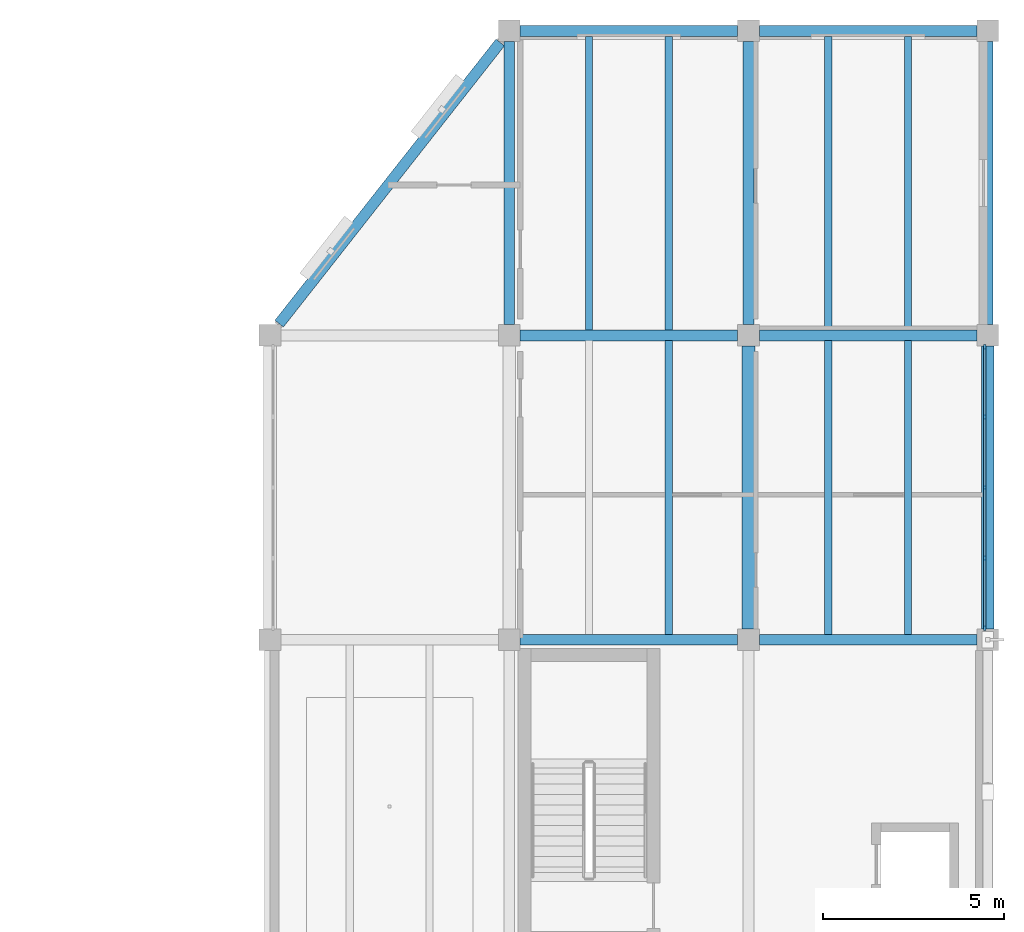
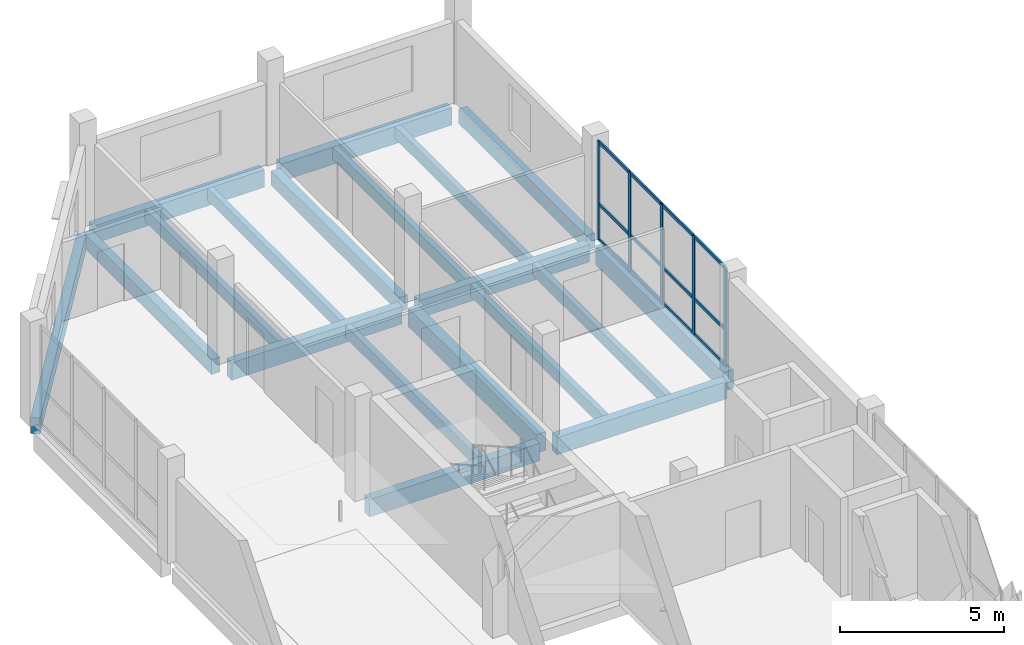
# One storey, part 4 of 12: 19 beams, 17 members, 1 element without a shape of its own.
"""IFC4 building model written with IfcOpenShell, lengths in metres."""

from ifc_helpers import new_model, si_unit, direction, frame, origin, origin_2d, place, context, subcontext, project, spatial, rectangle, extrude, material, material_profile, profile_set, type_object, element, aggregate, save


model = new_model("IFC4")

# Units and contexts
model_context = context("Model", 3, precision=1e-05, world=origin(), true_north=direction((0.0, 1.0)))
body_context = subcontext(model_context, "Body", "Model", "MODEL_VIEW")
ifc_project = project(units=[si_unit("LENGTHUNIT", "METRE"), si_unit("AREAUNIT", "SQUARE_METRE"), si_unit("VOLUMEUNIT", "CUBIC_METRE"), si_unit("PLANEANGLEUNIT", "RADIAN"), si_unit("MASSUNIT", "GRAM", prefix="KILO")], contexts=[model_context])

# Site, building, storey
site_placement = place(None, origin())
site = spatial("IfcSite", under=ifc_project, at=site_placement, CompositionType="ELEMENT")
building_placement = place(site_placement, origin())
building = spatial("IfcBuilding", under=site, at=building_placement, Name="Qaldarim Faculty of Natural and Applied Sciences", CompositionType="ELEMENT")
storey_placement = place(building_placement, frame((0.0, 0.0, 35.39990234375)))
storey = spatial("IfcBuildingStorey", under=building, at=storey_placement, Name="L08", CompositionType="ELEMENT", Elevation=35.39990234375)

# Beams
ifc_material_1 = material(Name="Concrete C40/50", Category="concrete")
ifc_material_profile_1 = material_profile(ifc_material_1, rectangle(XDim=0.300048828125, YDim=0.550048828125, at=origin_2d()), Name="RC-B300x550")
ifc_profile_set_1 = profile_set([ifc_material_profile_1], Name="Concrete C40/50")
beam_type_1 = type_object("IfcBeamType", Name="FloorBeam-RC300x550", PredefinedType="BEAM", material=ifc_profile_set_1)
for number, where, z_axis, x_axis, name in (
    (1, (165.0, 42.300048828125, -0.494873046875), (0.0, 1.0, 0.0), (-1.0, 0.0, 0.0), "Beam RC-B300x550 L07 X26/Y06-Y07"),
    (2, (171.60009765625, 42.300048828125, -0.494873046875), (0.0, 1.0, 0.0), (-1.0, 0.0, 0.0), "Beam RC-B300x550 L07 X27/Y06-Y07"),
    (3, (178.199951171875, 42.300048828125, -0.494873046875), (0.0, 1.0, 0.0), (-1.0, 0.0, 0.0), "Beam RC-B300x550 L07 X28/Y06-Y07"),
):
    element("IfcBeam", number, at=place(storey_placement, frame(where, z_axis=z_axis, x_axis=x_axis)), inside=storey, type_object=beam_type_1, Name=name, PredefinedType="BEAM", context=body_context, shape_type="SweptSolid", body=[
        extrude(rectangle(XDim=0.300048828125, YDim=0.550048828125, at=origin_2d()), origin(), (0.0, 0.0, 1.0), 7.800048828125),
    ])
ifc_material_profile_2 = material_profile(ifc_material_1, rectangle(XDim=0.199951171875, YDim=0.449951171875, at=origin_2d()), Name="RC-J200x450")
ifc_profile_set_2 = profile_set([ifc_material_profile_2], Name="Concrete C40/50")
beam_type_2 = type_object("IfcBeamType", Name="LabJoist-RC200x450", PredefinedType="JOIST", material=ifc_profile_set_2)
for number, where, z_axis, x_axis, name in (
    (4, (169.39990234375, 33.75, -0.44482421875), (0.0, 1.0, 0.0), (-1.0, 0.0, 0.0), "Laboratory joist L07 bay X26Y05-2"),
    (5, (167.199951171875, 42.14990234375, -0.44482421875), (0.0, 1.0, 0.0), (-1.0, 0.0, 0.0), "Laboratory joist L07 bay X26Y06-1"),
    (6, (169.39990234375, 42.14990234375, -0.44482421875), (0.0, 1.0, 0.0), (-1.0, 0.0, 0.0), "Laboratory joist L07 bay X26Y06-2"),
    (7, (173.800048828125, 33.75, -0.44482421875), (0.0, 1.0, 0.0), (-1.0, 0.0, 0.0), "Laboratory joist L07 bay X27Y05-1"),
    (8, (176.0, 33.75, -0.44482421875), (0.0, 1.0, 0.0), (-1.0, 0.0, 0.0), "Laboratory joist L07 bay X27Y05-2"),
    (9, (173.800048828125, 42.14990234375, -0.44482421875), (0.0, 1.0, 0.0), (-1.0, 0.0, 0.0), "Laboratory joist L07 bay X27Y06-1"),
    (10, (176.0, 42.14990234375, -0.44482421875), (0.0, 1.0, 0.0), (-1.0, 0.0, 0.0), "Laboratory joist L07 bay X27Y06-2"),
):
    element("IfcBeam", number, at=place(storey_placement, frame(where, z_axis=z_axis, x_axis=x_axis)), inside=storey, type_object=beam_type_2, Name=name, PredefinedType="JOIST", context=body_context, shape_type="SweptSolid", body=[
        extrude(rectangle(XDim=0.199951171875, YDim=0.449951171875, at=origin_2d()), origin(), (0.0, 0.0, 1.0), 8.10009765625),
    ])

# Curtain wall, members
ifc_material_2 = material(Name="Anodised aluminium AW-6063", Category="aluminium")
curtain_wall_type = type_object("IfcCurtainWallType", Name="CurtainWallSystem-M1800", PredefinedType="USERDEFINED", material=ifc_material_2)
curtain_wall_placement = place(storey_placement, origin())
curtain_wall = element("IfcCurtainWall", 11, at=curtain_wall_placement, inside=storey, type_object=curtain_wall_type, Name="Curtain wall CW-L08-E-X27Y05", ObjectType="UNITISED FACADE", PredefinedType="USERDEFINED")
ifc_material_profile_3 = material_profile(ifc_material_2, rectangle(XDim=0.06005859375, YDim=0.14990234375, at=origin_2d()), Name="ALU-M60x150")
ifc_profile_set_3 = profile_set([ifc_material_profile_3], Name="Anodised aluminium AW-6063")
member_type_1 = type_object("IfcMemberType", Name="Mullion-ALU60x150", PredefinedType="MULLION", material=ifc_profile_set_3)
member_1_placement = place(storey_placement, frame((178.1201171875, 33.925048828125, 0.0), z_axis=(0.0, 0.0, 1.0), x_axis=(-1.0, 0.0, 0.0)))
member_1 = element("IfcMember", 12, at=member_1_placement, type_object=member_type_1, Name="Mullion 1 of CW-L08-E-X27Y05", PredefinedType="MULLION", context=body_context, shape_type="SweptSolid", body=[
    extrude(rectangle(XDim=0.06005859375, YDim=0.14990234375, at=origin_2d()), origin(), (0.0, 0.0, 1.0), 3.68017578125),
])
member_2_placement = place(storey_placement, frame((178.1201171875, 35.847412109375, 0.0), z_axis=(0.0, 0.0, 1.0), x_axis=(-1.0, 0.0, 0.0)))
member_2 = element("IfcMember", 13, at=member_2_placement, type_object=member_type_1, Name="Mullion 2 of CW-L08-E-X27Y05", PredefinedType="MULLION", context=body_context, shape_type="SweptSolid", body=[
    extrude(rectangle(XDim=0.06005859375, YDim=0.14990234375, at=origin_2d()), origin(), (0.0, 0.0, 1.0), 3.68017578125),
])
member_3_placement = place(storey_placement, frame((178.1201171875, 37.800048828125, 0.0), z_axis=(0.0, 0.0, 1.0), x_axis=(-1.0, 0.0, 0.0)))
member_3 = element("IfcMember", 14, at=member_3_placement, type_object=member_type_1, Name="Mullion 3 of CW-L08-E-X27Y05", PredefinedType="MULLION", context=body_context, shape_type="SweptSolid", body=[
    extrude(rectangle(XDim=0.06005859375, YDim=0.14990234375, at=origin_2d()), origin(), (0.0, 0.0, 1.0), 3.68017578125),
])
member_4_placement = place(storey_placement, frame((178.1201171875, 39.75244140625, 0.0), z_axis=(0.0, 0.0, 1.0), x_axis=(-1.0, 0.0, 0.0)))
member_4 = element("IfcMember", 15, at=member_4_placement, type_object=member_type_1, Name="Mullion 4 of CW-L08-E-X27Y05", PredefinedType="MULLION", context=body_context, shape_type="SweptSolid", body=[
    extrude(rectangle(XDim=0.06005859375, YDim=0.14990234375, at=origin_2d()), origin(), (0.0, 0.0, 1.0), 3.68017578125),
])
member_5_placement = place(storey_placement, frame((178.1201171875, 41.675048828125, 0.0), z_axis=(0.0, 0.0, 1.0), x_axis=(-1.0, 0.0, 0.0)))
member_5 = element("IfcMember", 16, at=member_5_placement, type_object=member_type_1, Name="Mullion 5 of CW-L08-E-X27Y05", PredefinedType="MULLION", context=body_context, shape_type="SweptSolid", body=[
    extrude(rectangle(XDim=0.06005859375, YDim=0.14990234375, at=origin_2d()), origin(), (0.0, 0.0, 1.0), 3.68017578125),
])

# Beams
ifc_material_profile_4 = material_profile(ifc_material_1, rectangle(XDim=0.300048828125, YDim=0.64990234375, at=origin_2d()), Name="RC-B300x650")
ifc_profile_set_4 = profile_set([ifc_material_profile_4], Name="Concrete C40/50")
beam_type_3 = type_object("IfcBeamType", Name="PrimaryBeam-RC300x650", PredefinedType="BEAM", material=ifc_profile_set_4)
for number, where, z_axis, x_axis, name in (
    (17, (165.300048828125, 33.60009765625, -0.544921875), (1.0, 0.0, 0.0), (0.0, 1.0, 0.0), "Beam RC-B300x650 L07 X26-X27/Y05"),
    (18, (171.89990234375, 33.60009765625, -0.544921875), (1.0, 0.0, 0.0), (0.0, 1.0, 0.0), "Beam RC-B300x650 L07 X27-X28/Y05"),
    (19, (165.300048828125, 42.0, -0.544921875), (1.0, 0.0, 0.0), (0.0, 1.0, 0.0), "Beam RC-B300x650 L07 X26-X27/Y06"),
    (20, (171.89990234375, 42.0, -0.544921875), (1.0, 0.0, 0.0), (0.0, 1.0, 0.0), "Beam RC-B300x650 L07 X27-X28/Y06"),
    (21, (165.300048828125, 50.39990234375, -0.544921875), (1.0, 0.0, 0.0), (0.0, 1.0, 0.0), "Beam RC-B300x650 L07 X26-X27/Y07"),
    (22, (171.89990234375, 50.39990234375, -0.544921875), (1.0, 0.0, 0.0), (0.0, 1.0, 0.0), "Beam RC-B300x650 L07 X27-X28/Y07"),
):
    element("IfcBeam", number, at=place(storey_placement, frame(where, z_axis=z_axis, x_axis=x_axis)), inside=storey, type_object=beam_type_3, Name=name, PredefinedType="BEAM", context=body_context, shape_type="SweptSolid", body=[
        extrude(rectangle(XDim=0.300048828125, YDim=0.64990234375, at=origin_2d()), origin(), (0.0, 0.0, 1.0), 6.0),
    ])
ifc_material_profile_5 = material_profile(ifc_material_1, rectangle(XDim=0.35009765625, YDim=0.699951171875, at=origin_2d()), Name="RC-B350x700")
ifc_profile_set_5 = profile_set([ifc_material_profile_5], Name="Concrete C40/50")
beam_type_4 = type_object("IfcBeamType", Name="PrimaryGirder-RC350x700", PredefinedType="BEAM", material=ifc_profile_set_5)
for number, where, z_axis, x_axis, name in (
    (23, (171.60009765625, 33.89990234375, -0.56982421875), (0.0, 1.0, 0.0), (-1.0, 0.0, 0.0), "Beam RC-B350x700 L07 X27/Y05-Y06"),
    (24, (178.199951171875, 33.89990234375, -0.56982421875), (0.0, 1.0, 0.0), (-1.0, 0.0, 0.0), "Beam RC-B350x700 L07 X28/Y05-Y06"),
):
    element("IfcBeam", number, at=place(storey_placement, frame(where, z_axis=z_axis, x_axis=x_axis)), inside=storey, type_object=beam_type_4, Name=name, PredefinedType="BEAM", context=body_context, shape_type="SweptSolid", body=[
        extrude(rectangle(XDim=0.35009765625, YDim=0.699951171875, at=origin_2d()), origin(), (0.0, 0.0, 1.0), 7.800048828125),
    ])
ifc_material_3 = material(Name="Precast concrete C40/50", Category="concrete")
ifc_material_profile_6 = material_profile(ifc_material_3, rectangle(XDim=0.300048828125, YDim=0.60009765625, at=origin_2d()), Name="RC-SP300x600")
ifc_profile_set_6 = profile_set([ifc_material_profile_6], Name="Precast concrete C40/50")
beam_type_5 = type_object("IfcBeamType", Name="SpandrelBeam-RC300x600", PredefinedType="SPANDREL", material=ifc_profile_set_6)
beam_placement = place(storey_placement, frame((158.64990234375, 42.320068359375, -0.52001953125), z_axis=(0.618006143337, 0.786173267669, 0.0), x_axis=(-0.786173267669, 0.618006143337, 0.0)))
element("IfcBeam", 25, at=beam_placement, inside=storey, type_object=beam_type_5, Name="Oblique NW chamfer spandrel L07", PredefinedType="SPANDREL", context=body_context, shape_type="SweptSolid", body=[
    extrude(rectangle(XDim=0.300048828125, YDim=0.60009765625, at=origin_2d()), origin(), (0.0, 0.0, 1.0), 9.87060546875),
])

# Member
ifc_material_profile_7 = material_profile(ifc_material_2, rectangle(XDim=0.06005859375, YDim=0.1201171875, at=origin_2d()), Name="ALU-T60x120")
ifc_profile_set_7 = profile_set([ifc_material_profile_7], Name="Anodised aluminium AW-6063")
member_type_2 = type_object("IfcMemberType", Name="Transom-ALU60x120", PredefinedType="USERDEFINED", material=ifc_profile_set_7)
member_6_placement = place(storey_placement, frame((178.1201171875, 33.955078125, 0.030029296875), z_axis=(0.0, 1.0, 0.0), x_axis=(-1.0, 0.0, 0.0)))
member_6 = element("IfcMember", 26, at=member_6_placement, type_object=member_type_2, Name="Transom 1-1 of CW-L08-E-X27Y05", ObjectType="TRANSOM", PredefinedType="USERDEFINED", context=body_context, shape_type="SweptSolid", body=[
    extrude(rectangle(XDim=0.06005859375, YDim=0.1201171875, at=origin_2d()), origin(), (0.0, 0.0, 1.0), 1.8623046875),
])

member_7_placement = place(storey_placement, frame((178.1201171875, 33.955078125, 1.35009765625), z_axis=(0.0, 1.0, 0.0), x_axis=(-1.0, 0.0, 0.0)))
member_7 = element("IfcMember", 27, at=member_7_placement, type_object=member_type_2, Name="Transom 1-2 of CW-L08-E-X27Y05", ObjectType="TRANSOM", PredefinedType="USERDEFINED", context=body_context, shape_type="SweptSolid", body=[
    extrude(rectangle(XDim=0.06005859375, YDim=0.1201171875, at=origin_2d()), origin(), (0.0, 0.0, 1.0), 1.8623046875),
])

member_8_placement = place(storey_placement, frame((178.1201171875, 33.955078125, 3.650146484375), z_axis=(0.0, 1.0, 0.0), x_axis=(-1.0, 0.0, 0.0)))
member_8 = element("IfcMember", 28, at=member_8_placement, type_object=member_type_2, Name="Transom 1-3 of CW-L08-E-X27Y05", ObjectType="TRANSOM", PredefinedType="USERDEFINED", context=body_context, shape_type="SweptSolid", body=[
    extrude(rectangle(XDim=0.06005859375, YDim=0.1201171875, at=origin_2d()), origin(), (0.0, 0.0, 1.0), 1.8623046875),
])

member_9_placement = place(storey_placement, frame((178.1201171875, 35.87744140625, 0.030029296875), z_axis=(0.0, 1.0, 0.0), x_axis=(-1.0, 0.0, 0.0)))
member_9 = element("IfcMember", 29, at=member_9_placement, type_object=member_type_2, Name="Transom 2-1 of CW-L08-E-X27Y05", ObjectType="TRANSOM", PredefinedType="USERDEFINED", context=body_context, shape_type="SweptSolid", body=[
    extrude(rectangle(XDim=0.06005859375, YDim=0.1201171875, at=origin_2d()), origin(), (0.0, 0.0, 1.0), 1.892578125),
])

member_10_placement = place(storey_placement, frame((178.1201171875, 35.87744140625, 1.35009765625), z_axis=(0.0, 1.0, 0.0), x_axis=(-1.0, 0.0, 0.0)))
member_10 = element("IfcMember", 30, at=member_10_placement, type_object=member_type_2, Name="Transom 2-2 of CW-L08-E-X27Y05", ObjectType="TRANSOM", PredefinedType="USERDEFINED", context=body_context, shape_type="SweptSolid", body=[
    extrude(rectangle(XDim=0.06005859375, YDim=0.1201171875, at=origin_2d()), origin(), (0.0, 0.0, 1.0), 1.892578125),
])

member_11_placement = place(storey_placement, frame((178.1201171875, 35.87744140625, 3.650146484375), z_axis=(0.0, 1.0, 0.0), x_axis=(-1.0, 0.0, 0.0)))
member_11 = element("IfcMember", 31, at=member_11_placement, type_object=member_type_2, Name="Transom 2-3 of CW-L08-E-X27Y05", ObjectType="TRANSOM", PredefinedType="USERDEFINED", context=body_context, shape_type="SweptSolid", body=[
    extrude(rectangle(XDim=0.06005859375, YDim=0.1201171875, at=origin_2d()), origin(), (0.0, 0.0, 1.0), 1.892578125),
])

member_12_placement = place(storey_placement, frame((178.1201171875, 37.830078125, 0.030029296875), z_axis=(0.0, 1.0, 0.0), x_axis=(-1.0, 0.0, 0.0)))
member_12 = element("IfcMember", 32, at=member_12_placement, type_object=member_type_2, Name="Transom 3-1 of CW-L08-E-X27Y05", ObjectType="TRANSOM", PredefinedType="USERDEFINED", context=body_context, shape_type="SweptSolid", body=[
    extrude(rectangle(XDim=0.06005859375, YDim=0.1201171875, at=origin_2d()), origin(), (0.0, 0.0, 1.0), 1.892333984375),
])

member_13_placement = place(storey_placement, frame((178.1201171875, 37.830078125, 1.35009765625), z_axis=(0.0, 1.0, 0.0), x_axis=(-1.0, 0.0, 0.0)))
member_13 = element("IfcMember", 33, at=member_13_placement, type_object=member_type_2, Name="Transom 3-2 of CW-L08-E-X27Y05", ObjectType="TRANSOM", PredefinedType="USERDEFINED", context=body_context, shape_type="SweptSolid", body=[
    extrude(rectangle(XDim=0.06005859375, YDim=0.1201171875, at=origin_2d()), origin(), (0.0, 0.0, 1.0), 1.892333984375),
])

member_14_placement = place(storey_placement, frame((178.1201171875, 37.830078125, 3.650146484375), z_axis=(0.0, 1.0, 0.0), x_axis=(-1.0, 0.0, 0.0)))
member_14 = element("IfcMember", 34, at=member_14_placement, type_object=member_type_2, Name="Transom 3-3 of CW-L08-E-X27Y05", ObjectType="TRANSOM", PredefinedType="USERDEFINED", context=body_context, shape_type="SweptSolid", body=[
    extrude(rectangle(XDim=0.06005859375, YDim=0.1201171875, at=origin_2d()), origin(), (0.0, 0.0, 1.0), 1.892333984375),
])

member_15_placement = place(storey_placement, frame((178.1201171875, 39.782470703125, 0.030029296875), z_axis=(0.0, 1.0, 0.0), x_axis=(-1.0, 0.0, 0.0)))
member_15 = element("IfcMember", 35, at=member_15_placement, type_object=member_type_2, Name="Transom 4-1 of CW-L08-E-X27Y05", ObjectType="TRANSOM", PredefinedType="USERDEFINED", context=body_context, shape_type="SweptSolid", body=[
    extrude(rectangle(XDim=0.06005859375, YDim=0.1201171875, at=origin_2d()), origin(), (0.0, 0.0, 1.0), 1.862548828125),
])

member_16_placement = place(storey_placement, frame((178.1201171875, 39.782470703125, 1.35009765625), z_axis=(0.0, 1.0, 0.0), x_axis=(-1.0, 0.0, 0.0)))
member_16 = element("IfcMember", 36, at=member_16_placement, type_object=member_type_2, Name="Transom 4-2 of CW-L08-E-X27Y05", ObjectType="TRANSOM", PredefinedType="USERDEFINED", context=body_context, shape_type="SweptSolid", body=[
    extrude(rectangle(XDim=0.06005859375, YDim=0.1201171875, at=origin_2d()), origin(), (0.0, 0.0, 1.0), 1.862548828125),
])

member_17_placement = place(storey_placement, frame((178.1201171875, 39.782470703125, 3.650146484375), z_axis=(0.0, 1.0, 0.0), x_axis=(-1.0, 0.0, 0.0)))
member_17 = element("IfcMember", 37, at=member_17_placement, type_object=member_type_2, Name="Transom 4-3 of CW-L08-E-X27Y05", ObjectType="TRANSOM", PredefinedType="USERDEFINED", context=body_context, shape_type="SweptSolid", body=[
    extrude(rectangle(XDim=0.06005859375, YDim=0.1201171875, at=origin_2d()), origin(), (0.0, 0.0, 1.0), 1.862548828125),
])

aggregate(curtain_wall, [member_1, member_2, member_3, member_4, member_5, member_6, member_7, member_8, member_9, member_10, member_11, member_12, member_13, member_14, member_15, member_16, member_17])

save(model, "model.ifc")
